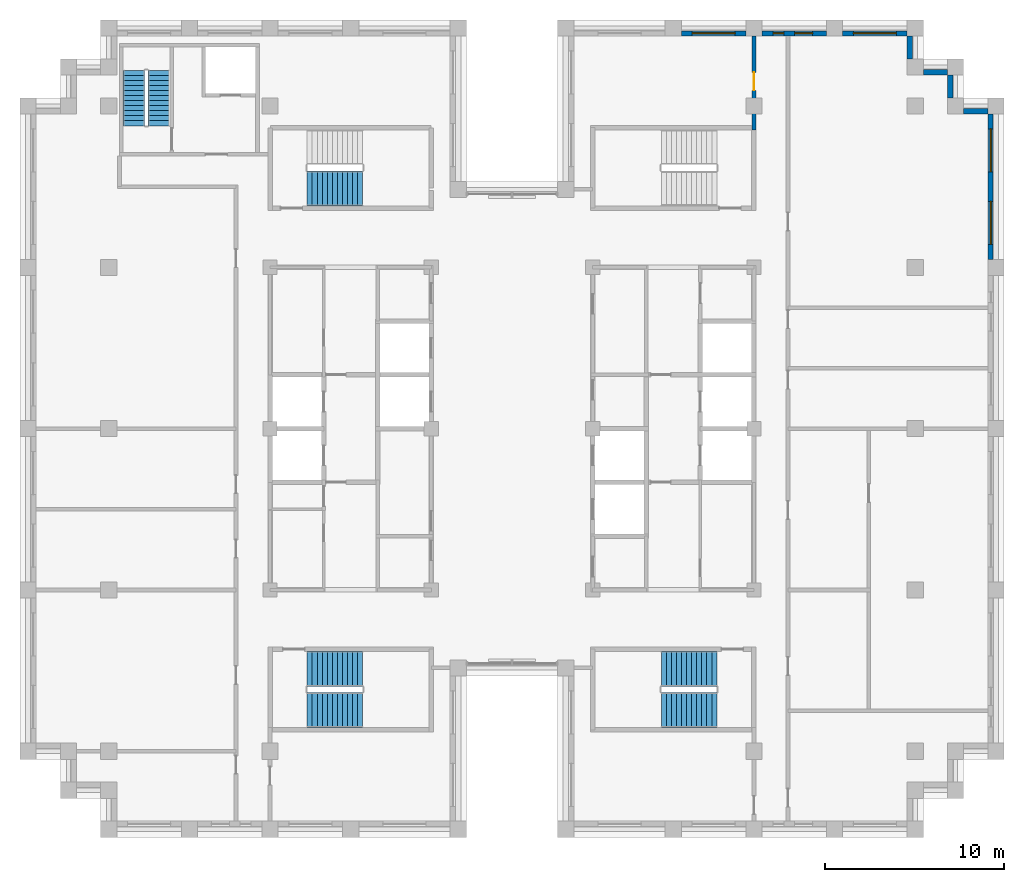
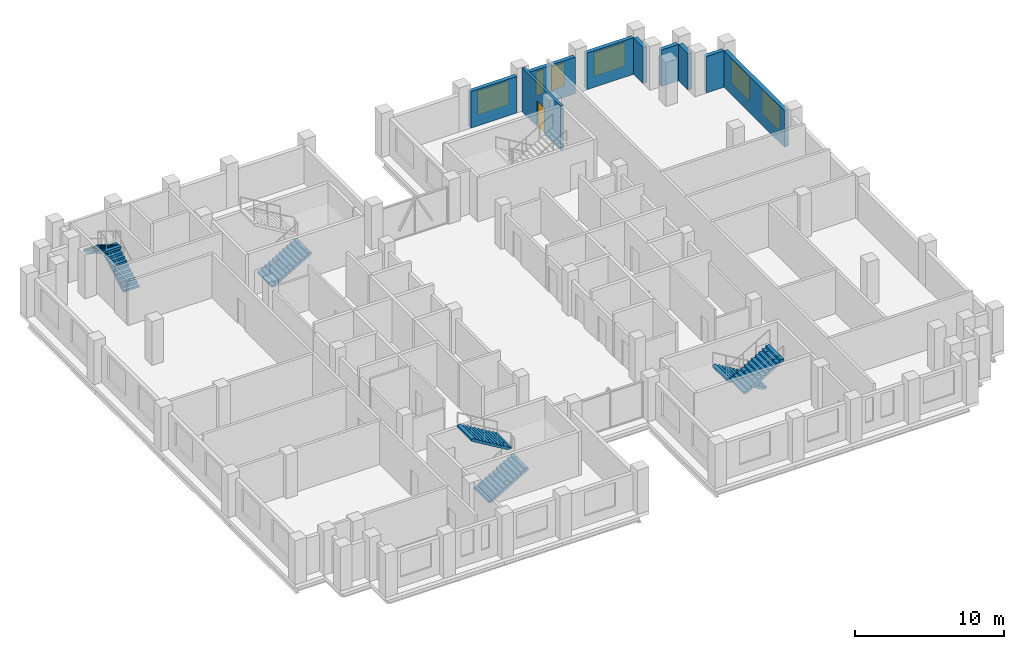
# One storey, part 11 of 13: 9 walls, 7 stair flights, 6 windows, 1 door, 7 openings, 4 elements without a shape of their own.
"""IFC4 building model written with IfcOpenShell, lengths in metres."""

from ifc_helpers import new_model, si_unit, direction, frame, frame_2d, origin, place, context, subcontext, project, spatial, polyline, rectangle, outline, extrude, material, layer, layer_set, type_object, element, fill, aggregate, save


model = new_model("IFC4")

# Units and contexts
model_context = context("Model", 3, precision=1e-05, world=origin(), true_north=direction((0.0, 1.0)))
body_context = subcontext(model_context, "Body", "Model", "MODEL_VIEW")
ifc_project = project(units=[si_unit("LENGTHUNIT", "METRE"), si_unit("AREAUNIT", "SQUARE_METRE"), si_unit("VOLUMEUNIT", "CUBIC_METRE"), si_unit("PLANEANGLEUNIT", "RADIAN"), si_unit("MASSUNIT", "GRAM", prefix="KILO")], contexts=[model_context])

# Site, building, storey
site_placement = place(None, origin())
site = spatial("IfcSite", under=ifc_project, at=site_placement, CompositionType="ELEMENT")
building_placement = place(site_placement, origin())
building = spatial("IfcBuilding", under=site, at=building_placement, Name="Corbelhall Arena Tower", CompositionType="ELEMENT")
storey_placement = place(building_placement, frame((0.0, 0.0, 290.0)))
storey = spatial("IfcBuildingStorey", under=building, at=storey_placement, Name="L63", CompositionType="ELEMENT", Elevation=290.0)

# Wall, openings, windows
ifc_material_1 = material(Name="Precast concrete C40/50 with granite facing", Category="masonry")
ifc_layer_1 = layer(ifc_material_1, 0.300048828125)
ifc_layer_set_1 = layer_set([ifc_layer_1], Name="EV-IW1 Infill panel 300")
wall_type_1 = type_object("IfcWallType", Name="EV-IW1 Infill panel 300", PredefinedType="SOLIDWALL", material=ifc_layer_set_1)
wall_1_placement = place(storey_placement, frame((26.699951171875, 9.449951171875, 0.0), z_axis=(0.0, 0.0, 1.0), x_axis=(0.0, 1.0, 0.0)))
wall_1 = element("IfcWall", 1, at=wall_1_placement, inside=storey, type_object=wall_type_1, Name="Infill panel IW1", PredefinedType="SOLIDWALL", context=body_context, shape_type="SweptSolid", body=[
    extrude(rectangle(XDim=8.10009765625, YDim=0.300048828125, at=frame_2d((4.050048828125, 0.0))), origin(), (0.0, 0.0, 1.0), 2.989990234375),
])
opening_1_placement = place(wall_1_placement, frame((0.824951171875, 0.0, 0.800048828125)))
opening_1 = element("IfcOpeningElement", 2, at=opening_1_placement, cuts=wall_1, Name="Opening WN1", PredefinedType="OPENING", context=body_context, shape_type="SweptSolid", body=[
    extrude(rectangle(XDim=2.39990234375, YDim=1.949951171875, at=frame_2d((1.199951171875, 0.97509765625))), frame((0.0, 0.14990234375, 0.0), z_axis=(0.0, -1.0, 0.0), x_axis=(1.0, 0.0, 0.0)), (0.0, 0.0, 1.0), 0.300048828125),
])
opening_2_placement = place(wall_1_placement, frame((4.875, 0.0, 0.800048828125)))
opening_2 = element("IfcOpeningElement", 3, at=opening_2_placement, cuts=wall_1, Name="Opening WN1", PredefinedType="OPENING", context=body_context, shape_type="SweptSolid", body=[
    extrude(rectangle(XDim=2.39990234375, YDim=1.949951171875, at=frame_2d((1.199951171875, 0.97509765625))), frame((0.0, 0.14990234375, 0.0), z_axis=(0.0, -1.0, 0.0), x_axis=(1.0, 0.0, 0.0)), (0.0, 0.0, 1.0), 0.300048828125),
])
ifc_material_2 = material(Name="Aluminium black anodised", Category="aluminium")
window_type_1 = type_object("IfcWindowType", Name="EV-WN1 Office window", PartitioningType="SINGLE_PANEL", PredefinedType="WINDOW", material=ifc_material_2)
window_1_placement = place(opening_1_placement, origin())
window_1 = element("IfcWindow", 4, at=window_1_placement, inside=storey, type_object=window_type_1, Name="Window WN1", OverallHeight=1.949951171875, OverallWidth=2.39990234375, PartitioningType="SINGLE_PANEL", PredefinedType="WINDOW", context=body_context, shape_type="SweptSolid", body=[
    extrude(rectangle(XDim=2.39990234375, YDim=1.949951171875, at=frame_2d((1.199951171875, 0.97509765625))), frame((0.0, 0.030029296875, 0.0), z_axis=(0.0, -1.0, 0.0), x_axis=(1.0, 0.0, 0.0)), (0.0, 0.0, 1.0), 0.06005859375),
])
fill(opening_1, window_1)
window_2_placement = place(opening_2_placement, origin())
window_2 = element("IfcWindow", 5, at=window_2_placement, inside=storey, type_object=window_type_1, Name="Window WN1", OverallHeight=1.949951171875, OverallWidth=2.39990234375, PartitioningType="SINGLE_PANEL", PredefinedType="WINDOW", context=body_context, shape_type="SweptSolid", body=[
    extrude(rectangle(XDim=2.39990234375, YDim=1.949951171875, at=frame_2d((1.199951171875, 0.97509765625))), frame((0.0, 0.030029296875, 0.0), z_axis=(0.0, -1.0, 0.0), x_axis=(1.0, 0.0, 0.0)), (0.0, 0.0, 1.0), 0.06005859375),
])
fill(opening_2, window_2)

# Walls
wall_2_placement = place(storey_placement, frame((26.550048828125, 17.699951171875, 0.0), z_axis=(0.0, 0.0, 1.0), x_axis=(-1.0, 0.0, 0.0)))
element("IfcWall", 6, at=wall_2_placement, inside=storey, type_object=wall_type_1, Name="Infill panel IW1", PredefinedType="SOLIDWALL", context=body_context, shape_type="SweptSolid", body=[
    extrude(rectangle(XDim=1.35009765625, YDim=0.300048828125, at=frame_2d((0.675048828125, 0.0))), origin(), (0.0, 0.0, 1.0), 2.989990234375),
])
wall_3_placement = place(storey_placement, frame((24.449951171875, 18.449951171875, 0.0), z_axis=(0.0, 0.0, 1.0), x_axis=(0.0, 1.0, 0.0)))
element("IfcWall", 7, at=wall_3_placement, inside=storey, type_object=wall_type_1, Name="Infill panel IW1", PredefinedType="SOLIDWALL", context=body_context, shape_type="SweptSolid", body=[
    extrude(rectangle(XDim=1.275146484375, YDim=0.300048828125, at=frame_2d((0.6376953125, 0.0))), origin(), (0.0, 0.0, 1.0), 2.989990234375),
])
wall_4_placement = place(storey_placement, frame((24.300048828125, 19.875, 0.0), z_axis=(0.0, 0.0, 1.0), x_axis=(-1.0, 0.0, 0.0)))
element("IfcWall", 8, at=wall_4_placement, inside=storey, type_object=wall_type_1, Name="Infill panel IW1", PredefinedType="SOLIDWALL", context=body_context, shape_type="SweptSolid", body=[
    extrude(rectangle(XDim=1.35009765625, YDim=0.300048828125, at=frame_2d((0.675048828125, 0.0))), origin(), (0.0, 0.0, 1.0), 2.989990234375),
])
wall_5_placement = place(storey_placement, frame((22.199951171875, 20.625, 0.0), z_axis=(0.0, 0.0, 1.0), x_axis=(0.0, 1.0, 0.0)))
element("IfcWall", 9, at=wall_5_placement, inside=storey, type_object=wall_type_1, Name="Infill panel IW1", PredefinedType="SOLIDWALL", context=body_context, shape_type="SweptSolid", body=[
    extrude(rectangle(XDim=1.27490234375, YDim=0.300048828125, at=frame_2d((0.637451171875, 0.0))), origin(), (0.0, 0.0, 1.0), 2.989990234375),
])

# Wall, opening, window
wall_6_placement = place(storey_placement, frame((22.050048828125, 22.050048828125, 0.0), z_axis=(0.0, 0.0, 1.0), x_axis=(-1.0, 0.0, 0.0)))
wall_6 = element("IfcWall", 10, at=wall_6_placement, inside=storey, type_object=wall_type_1, Name="Infill panel IW1", PredefinedType="SOLIDWALL", context=body_context, shape_type="SweptSolid", body=[
    extrude(rectangle(XDim=3.60009765625, YDim=0.300048828125, at=frame_2d((1.800048828125, 0.0))), origin(), (0.0, 0.0, 1.0), 2.989990234375),
])
opening_3_placement = place(wall_6_placement, frame((0.60009765625, 0.0, 0.800048828125)))
opening_3 = element("IfcOpeningElement", 11, at=opening_3_placement, cuts=wall_6, Name="Opening WN1", PredefinedType="OPENING", context=body_context, shape_type="SweptSolid", body=[
    extrude(rectangle(XDim=2.39990234375, YDim=1.949951171875, at=frame_2d((1.199951171875, 0.97509765625))), frame((0.0, 0.14990234375, 0.0), z_axis=(0.0, -1.0, 0.0), x_axis=(1.0, 0.0, 0.0)), (0.0, 0.0, 1.0), 0.300048828125),
])
window_3_placement = place(opening_3_placement, origin())
window_3 = element("IfcWindow", 12, at=window_3_placement, inside=storey, type_object=window_type_1, Name="Window WN1", OverallHeight=1.949951171875, OverallWidth=2.39990234375, PartitioningType="SINGLE_PANEL", PredefinedType="WINDOW", context=body_context, shape_type="SweptSolid", body=[
    extrude(rectangle(XDim=2.39990234375, YDim=1.949951171875, at=frame_2d((1.199951171875, 0.97509765625))), frame((0.0, 0.030029296875, 0.0), z_axis=(0.0, -1.0, 0.0), x_axis=(1.0, 0.0, 0.0)), (0.0, 0.0, 1.0), 0.06005859375),
])
fill(opening_3, window_3)

# Wall, openings, windows
wall_7_placement = place(storey_placement, frame((17.550048828125, 22.050048828125, 0.0), z_axis=(0.0, 0.0, 1.0), x_axis=(-1.0, 0.0, 0.0)))
wall_7 = element("IfcWall", 13, at=wall_7_placement, inside=storey, type_object=wall_type_1, Name="Infill panel IW1", PredefinedType="SOLIDWALL", context=body_context, shape_type="SweptSolid", body=[
    extrude(rectangle(XDim=3.60009765625, YDim=0.300048828125, at=frame_2d((1.800048828125, 0.0))), origin(), (0.0, 0.0, 1.0), 2.989990234375),
])
opening_4_placement = place(wall_7_placement, frame((0.77490234375, 0.0, 0.800048828125)))
opening_4 = element("IfcOpeningElement", 14, at=opening_4_placement, cuts=wall_7, Name="Opening WN6", PredefinedType="OPENING", context=body_context, shape_type="SweptSolid", body=[
    extrude(rectangle(XDim=1.0, YDim=1.949951171875, at=frame_2d((0.5, 0.97509765625))), frame((0.0, 0.14990234375, 0.0), z_axis=(0.0, -1.0, 0.0), x_axis=(1.0, 0.0, 0.0)), (0.0, 0.0, 1.0), 0.300048828125),
])
opening_5_placement = place(wall_7_placement, frame((2.375, 0.0, 0.800048828125)))
opening_5 = element("IfcOpeningElement", 15, at=opening_5_placement, cuts=wall_7, Name="Opening WN5", PredefinedType="OPENING", context=body_context, shape_type="SweptSolid", body=[
    extrude(rectangle(XDim=0.60009765625, YDim=1.949951171875, at=frame_2d((0.300048828125, 0.97509765625))), frame((0.0, 0.14990234375, 0.0), z_axis=(0.0, -1.0, 0.0), x_axis=(1.0, 0.0, 0.0)), (0.0, 0.0, 1.0), 0.300048828125),
])
window_type_2 = type_object("IfcWindowType", Name="EV-WN5 Office window 600", PartitioningType="SINGLE_PANEL", PredefinedType="WINDOW", material=ifc_material_2)
window_4_placement = place(opening_5_placement, origin())
window_4 = element("IfcWindow", 16, at=window_4_placement, inside=storey, type_object=window_type_2, Name="Window WN5", OverallHeight=1.949951171875, OverallWidth=0.60009765625, PartitioningType="SINGLE_PANEL", PredefinedType="WINDOW", context=body_context, shape_type="SweptSolid", body=[
    extrude(rectangle(XDim=0.60009765625, YDim=1.949951171875, at=frame_2d((0.300048828125, 0.97509765625))), frame((0.0, 0.030029296875, 0.0), z_axis=(0.0, -1.0, 0.0), x_axis=(1.0, 0.0, 0.0)), (0.0, 0.0, 1.0), 0.06005859375),
])
fill(opening_5, window_4)
window_type_3 = type_object("IfcWindowType", Name="EV-WN6 Office window 1000", PartitioningType="SINGLE_PANEL", PredefinedType="WINDOW", material=ifc_material_2)
window_5_placement = place(opening_4_placement, origin())
window_5 = element("IfcWindow", 17, at=window_5_placement, inside=storey, type_object=window_type_3, Name="Window WN6", OverallHeight=1.949951171875, OverallWidth=1.0, PartitioningType="SINGLE_PANEL", PredefinedType="WINDOW", context=body_context, shape_type="SweptSolid", body=[
    extrude(rectangle(XDim=1.0, YDim=1.949951171875, at=frame_2d((0.5, 0.97509765625))), frame((0.0, 0.030029296875, 0.0), z_axis=(0.0, -1.0, 0.0), x_axis=(1.0, 0.0, 0.0)), (0.0, 0.0, 1.0), 0.06005859375),
])
fill(opening_4, window_5)

# Wall, opening, window
wall_8_placement = place(storey_placement, frame((13.050048828125, 22.050048828125, 0.0), z_axis=(0.0, 0.0, 1.0), x_axis=(-1.0, 0.0, 0.0)))
wall_8 = element("IfcWall", 18, at=wall_8_placement, inside=storey, type_object=wall_type_1, Name="Infill panel IW1", PredefinedType="SOLIDWALL", context=body_context, shape_type="SweptSolid", body=[
    extrude(rectangle(XDim=3.60009765625, YDim=0.300048828125, at=frame_2d((1.800048828125, 0.0))), origin(), (0.0, 0.0, 1.0), 2.989990234375),
])
opening_6_placement = place(wall_8_placement, frame((0.60009765625, 0.0, 0.800048828125)))
opening_6 = element("IfcOpeningElement", 19, at=opening_6_placement, cuts=wall_8, Name="Opening WN1", PredefinedType="OPENING", context=body_context, shape_type="SweptSolid", body=[
    extrude(rectangle(XDim=2.39990234375, YDim=1.949951171875, at=frame_2d((1.199951171875, 0.97509765625))), frame((0.0, 0.14990234375, 0.0), z_axis=(0.0, -1.0, 0.0), x_axis=(1.0, 0.0, 0.0)), (0.0, 0.0, 1.0), 0.300048828125),
])
window_6_placement = place(opening_6_placement, origin())
window_6 = element("IfcWindow", 20, at=window_6_placement, inside=storey, type_object=window_type_1, Name="Window WN1", OverallHeight=1.949951171875, OverallWidth=2.39990234375, PartitioningType="SINGLE_PANEL", PredefinedType="WINDOW", context=body_context, shape_type="SweptSolid", body=[
    extrude(rectangle(XDim=2.39990234375, YDim=1.949951171875, at=frame_2d((1.199951171875, 0.97509765625))), frame((0.0, 0.030029296875, 0.0), z_axis=(0.0, -1.0, 0.0), x_axis=(1.0, 0.0, 0.0)), (0.0, 0.0, 1.0), 0.06005859375),
])
fill(opening_6, window_6)

# Wall, opening, door
ifc_material_3 = material(Name="Gypsum board on steel stud, acoustic", Category="steel")
ifc_layer_2 = layer(ifc_material_3, 0.199951171875)
ifc_layer_set_2 = layer_set([ifc_layer_2], Name="IN-W-DM200")
wall_type_2 = type_object("IfcWallType", Name="IN-W-DM200", PredefinedType="PARTITIONING", material=ifc_layer_set_2)
wall_9_placement = place(storey_placement, frame((13.5, 16.675048828125, 0.0), z_axis=(0.0, 0.0, 1.0), x_axis=(0.0, 1.0, 0.0)))
wall_9 = element("IfcWall", 21, at=wall_9_placement, inside=storey, type_object=wall_type_2, Name="Partition 013", PredefinedType="PARTITIONING", context=body_context, shape_type="SweptSolid", body=[
    extrude(rectangle(XDim=5.224853515625, YDim=0.199951171875, at=frame_2d((2.6123046875, 0.0))), origin(), (0.0, 0.0, 1.0), 3.590087890625),
])
opening_7_placement = place(wall_9_placement, frame((2.199951171875, 0.0, 0.0)))
opening_7 = element("IfcOpeningElement", 22, at=opening_7_placement, cuts=wall_9, Name="Opening 20020", PredefinedType="OPENING", context=body_context, shape_type="SweptSolid", body=[
    extrude(rectangle(XDim=1.0, YDim=2.10009765625, at=frame_2d((0.5, 1.050048828125))), frame((0.0, 0.10009765625, 0.0), z_axis=(0.0, -1.0, 0.0), x_axis=(1.0, 0.0, 0.0)), (0.0, 0.0, 1.0), 0.199951171875),
])
ifc_material_4 = material(Name="Steel door set", Category="steel")
door_type = type_object("IfcDoorType", Name="IN-D-SW100", OperationType="NOTDEFINED", PredefinedType="DOOR", material=ifc_material_4)
door_placement = place(opening_7_placement, origin())
door = element("IfcDoor", 23, at=door_placement, inside=storey, type_object=door_type, Name="Door 020", OperationType="SINGLE_SWING_LEFT", OverallHeight=2.10009765625, OverallWidth=1.0, PredefinedType="DOOR", context=body_context, shape_type="SweptSolid", body=[
    extrude(rectangle(XDim=1.0, YDim=2.10009765625, at=frame_2d((0.5, 1.050048828125))), frame((0.0, 0.02490234375, 0.0), z_axis=(0.0, -1.0, 0.0), x_axis=(1.0, 0.0, 0.0)), (0.0, 0.0, 1.0), 0.050048828125),
])
fill(opening_7, door)

# Stair, stair flight
ifc_material_5 = material(Name="Concrete C40/50", Category="concrete")
stair_type = type_object("IfcStairType", Name="IN-ST-TOWER", PredefinedType="HALF_TURN_STAIR", material=ifc_material_5)
stair_1_placement = place(storey_placement, origin())
stair_1 = element("IfcStair", 24, at=stair_1_placement, inside=storey, type_object=stair_type, Name="L63 Exit stair ST1", PredefinedType="HALF_TURN_STAIR")
stair_flight_type = type_object("IfcStairFlightType", Name="IN-SFL-RC", PredefinedType="STRAIGHT", material=ifc_material_5)
stair_flight_1_placement = place(storey_placement, frame((-11.425048828125, 13.39990234375, 0.0), z_axis=(0.0, 0.0, 1.0), x_axis=(1.0, 0.0, 0.0)))
stair_flight_1 = element("IfcStairFlight", 25, at=stair_flight_1_placement, type_object=stair_flight_type, Name="ST1 flight 1", NumberOfRisers=12, NumberOfTreads=11, PredefinedType="STRAIGHT", RiserHeight=0.166666667, TreadLength=0.28, context=body_context, shape_type="SweptSolid", body=[
    extrude(outline(polyline([(0.0, 0.0), (0.0, 0.166748046875), (0.280029296875, 0.166748046875), (0.280029296875, 0.333251953125), (0.56005859375, 0.333251953125), (0.56005859375, 0.5), (0.840087890625, 0.5), (0.840087890625, 0.666748046875), (1.1201171875, 0.666748046875), (1.1201171875, 0.833251953125), (1.39990234375, 0.833251953125), (1.39990234375, 1.0), (1.679931640625, 1.0), (1.679931640625, 1.166748046875), (1.9599609375, 1.166748046875), (1.9599609375, 1.333251953125), (2.239990234375, 1.333251953125), (2.239990234375, 1.5), (2.52001953125, 1.5), (2.52001953125, 1.666748046875), (2.800048828125, 1.666748046875), (2.800048828125, 1.833251953125), (3.080078125, 1.833251953125), (3.080078125, 2.0), (3.080078125, 1.658935546875), (0.29296875, 0.0), (0.0, 0.0)])), frame((0.0, 0.97509765625, 0.0), z_axis=(0.0, -1.0, 0.0), x_axis=(1.0, 0.0, 0.0)), (0.0, 0.0, 1.0), 0.449951171875),
    extrude(outline(polyline([(0.0, 0.0), (0.0, 0.166748046875), (0.280029296875, 0.166748046875), (0.280029296875, 0.333251953125), (0.56005859375, 0.333251953125), (0.56005859375, 0.5), (0.840087890625, 0.5), (0.840087890625, 0.666748046875), (1.1201171875, 0.666748046875), (1.1201171875, 0.833251953125), (1.39990234375, 0.833251953125), (1.39990234375, 1.0), (1.679931640625, 1.0), (1.679931640625, 1.166748046875), (1.9599609375, 1.166748046875), (1.9599609375, 1.333251953125), (2.239990234375, 1.333251953125), (2.239990234375, 1.5), (2.52001953125, 1.5), (2.52001953125, 1.666748046875), (2.800048828125, 1.666748046875), (2.800048828125, 1.833251953125), (3.080078125, 1.833251953125), (3.080078125, 2.0), (3.080078125, 1.658935546875), (0.29296875, 0.0), (0.0, 0.0)])), frame((0.0, 0.52099609375, 0.0), z_axis=(0.0, -1.0, 0.0), x_axis=(1.0, 0.0, 0.0)), (0.0, 0.0, 1.0), 1.0419921875),
    extrude(outline(polyline([(0.0, 0.0), (0.0, 0.166748046875), (0.280029296875, 0.166748046875), (0.280029296875, 0.333251953125), (0.56005859375, 0.333251953125), (0.56005859375, 0.5), (0.840087890625, 0.5), (0.840087890625, 0.666748046875), (1.1201171875, 0.666748046875), (1.1201171875, 0.833251953125), (1.39990234375, 0.833251953125), (1.39990234375, 1.0), (1.679931640625, 1.0), (1.679931640625, 1.166748046875), (1.9599609375, 1.166748046875), (1.9599609375, 1.333251953125), (2.239990234375, 1.333251953125), (2.239990234375, 1.5), (2.52001953125, 1.5), (2.52001953125, 1.666748046875), (2.800048828125, 1.666748046875), (2.800048828125, 1.833251953125), (3.080078125, 1.833251953125), (3.080078125, 2.0), (3.080078125, 1.658935546875), (0.29296875, 0.0), (0.0, 0.0)])), frame((0.0, -0.52490234375, 0.0), z_axis=(0.0, -1.0, 0.0), x_axis=(1.0, 0.0, 0.0)), (0.0, 0.0, 1.0), 0.449951171875),
])
aggregate(stair_1, [stair_flight_1])

# Stair, stair flights
stair_2_placement = place(storey_placement, origin())
stair_2 = element("IfcStair", 26, at=stair_2_placement, inside=storey, type_object=stair_type, Name="L63 Exit stair ST2", PredefinedType="HALF_TURN_STAIR")
stair_flight_2_placement = place(storey_placement, frame((-11.425048828125, -15.699951171875, 0.0), z_axis=(0.0, 0.0, 1.0), x_axis=(1.0, 0.0, 0.0)))
stair_flight_2 = element("IfcStairFlight", 27, at=stair_flight_2_placement, type_object=stair_flight_type, Name="ST2 flight 1", NumberOfRisers=12, NumberOfTreads=11, PredefinedType="STRAIGHT", RiserHeight=0.166666667, TreadLength=0.28, context=body_context, shape_type="SweptSolid", body=[
    extrude(outline(polyline([(0.0, 0.0), (0.0, 0.166748046875), (0.280029296875, 0.166748046875), (0.280029296875, 0.333251953125), (0.56005859375, 0.333251953125), (0.56005859375, 0.5), (0.840087890625, 0.5), (0.840087890625, 0.666748046875), (1.1201171875, 0.666748046875), (1.1201171875, 0.833251953125), (1.39990234375, 0.833251953125), (1.39990234375, 1.0), (1.679931640625, 1.0), (1.679931640625, 1.166748046875), (1.9599609375, 1.166748046875), (1.9599609375, 1.333251953125), (2.239990234375, 1.333251953125), (2.239990234375, 1.5), (2.52001953125, 1.5), (2.52001953125, 1.666748046875), (2.800048828125, 1.666748046875), (2.800048828125, 1.833251953125), (3.080078125, 1.833251953125), (3.080078125, 2.0), (3.080078125, 1.658935546875), (0.29296875, 0.0), (0.0, 0.0)])), frame((0.0, 0.97509765625, 0.0), z_axis=(0.0, -1.0, 0.0), x_axis=(1.0, 0.0, 0.0)), (0.0, 0.0, 1.0), 0.449951171875),
    extrude(outline(polyline([(0.0, 0.0), (0.0, 0.166748046875), (0.280029296875, 0.166748046875), (0.280029296875, 0.333251953125), (0.56005859375, 0.333251953125), (0.56005859375, 0.5), (0.840087890625, 0.5), (0.840087890625, 0.666748046875), (1.1201171875, 0.666748046875), (1.1201171875, 0.833251953125), (1.39990234375, 0.833251953125), (1.39990234375, 1.0), (1.679931640625, 1.0), (1.679931640625, 1.166748046875), (1.9599609375, 1.166748046875), (1.9599609375, 1.333251953125), (2.239990234375, 1.333251953125), (2.239990234375, 1.5), (2.52001953125, 1.5), (2.52001953125, 1.666748046875), (2.800048828125, 1.666748046875), (2.800048828125, 1.833251953125), (3.080078125, 1.833251953125), (3.080078125, 2.0), (3.080078125, 1.658935546875), (0.29296875, 0.0), (0.0, 0.0)])), frame((0.0, 0.52099609375, 0.0), z_axis=(0.0, -1.0, 0.0), x_axis=(1.0, 0.0, 0.0)), (0.0, 0.0, 1.0), 1.0419921875),
    extrude(outline(polyline([(0.0, 0.0), (0.0, 0.166748046875), (0.280029296875, 0.166748046875), (0.280029296875, 0.333251953125), (0.56005859375, 0.333251953125), (0.56005859375, 0.5), (0.840087890625, 0.5), (0.840087890625, 0.666748046875), (1.1201171875, 0.666748046875), (1.1201171875, 0.833251953125), (1.39990234375, 0.833251953125), (1.39990234375, 1.0), (1.679931640625, 1.0), (1.679931640625, 1.166748046875), (1.9599609375, 1.166748046875), (1.9599609375, 1.333251953125), (2.239990234375, 1.333251953125), (2.239990234375, 1.5), (2.52001953125, 1.5), (2.52001953125, 1.666748046875), (2.800048828125, 1.666748046875), (2.800048828125, 1.833251953125), (3.080078125, 1.833251953125), (3.080078125, 2.0), (3.080078125, 1.658935546875), (0.29296875, 0.0), (0.0, 0.0)])), frame((0.0, -0.52490234375, 0.0), z_axis=(0.0, -1.0, 0.0), x_axis=(1.0, 0.0, 0.0)), (0.0, 0.0, 1.0), 0.449951171875),
])
stair_flight_3_placement = place(storey_placement, frame((-8.344970703125, -13.39990234375, 2.0), z_axis=(0.0, 0.0, 1.0), x_axis=(-1.0, 0.0, 0.0)))
stair_flight_3 = element("IfcStairFlight", 28, at=stair_flight_3_placement, type_object=stair_flight_type, Name="ST2 flight 2", NumberOfRisers=12, NumberOfTreads=11, PredefinedType="STRAIGHT", RiserHeight=0.166666667, TreadLength=0.28, context=body_context, shape_type="SweptSolid", body=[
    extrude(outline(polyline([(0.0, 0.0), (0.0, 0.166748046875), (0.280029296875, 0.166748046875), (0.280029296875, 0.333251953125), (0.56005859375, 0.333251953125), (0.56005859375, 0.5), (0.840087890625, 0.5), (0.840087890625, 0.666748046875), (1.1201171875, 0.666748046875), (1.1201171875, 0.833251953125), (1.39990234375, 0.833251953125), (1.39990234375, 1.0), (1.679931640625, 1.0), (1.679931640625, 1.166748046875), (1.9599609375, 1.166748046875), (1.9599609375, 1.333251953125), (2.239990234375, 1.333251953125), (2.239990234375, 1.5), (2.52001953125, 1.5), (2.52001953125, 1.666748046875), (2.800048828125, 1.666748046875), (2.800048828125, 1.833251953125), (3.080078125, 1.833251953125), (3.080078125, 2.0), (3.080078125, 1.658935546875), (0.29296875, 0.0), (0.0, 0.0)])), frame((0.0, 0.97509765625, 0.0), z_axis=(0.0, -1.0, 0.0), x_axis=(1.0, 0.0, 0.0)), (0.0, 0.0, 1.0), 0.449951171875),
    extrude(outline(polyline([(0.0, 0.0), (0.0, 0.166748046875), (0.280029296875, 0.166748046875), (0.280029296875, 0.333251953125), (0.56005859375, 0.333251953125), (0.56005859375, 0.5), (0.840087890625, 0.5), (0.840087890625, 0.666748046875), (1.1201171875, 0.666748046875), (1.1201171875, 0.833251953125), (1.39990234375, 0.833251953125), (1.39990234375, 1.0), (1.679931640625, 1.0), (1.679931640625, 1.166748046875), (1.9599609375, 1.166748046875), (1.9599609375, 1.333251953125), (2.239990234375, 1.333251953125), (2.239990234375, 1.5), (2.52001953125, 1.5), (2.52001953125, 1.666748046875), (2.800048828125, 1.666748046875), (2.800048828125, 1.833251953125), (3.080078125, 1.833251953125), (3.080078125, 2.0), (3.080078125, 1.658935546875), (0.29296875, 0.0), (0.0, 0.0)])), frame((0.0, 0.52099609375, 0.0), z_axis=(0.0, -1.0, 0.0), x_axis=(1.0, 0.0, 0.0)), (0.0, 0.0, 1.0), 1.0419921875),
    extrude(outline(polyline([(0.0, 0.0), (0.0, 0.166748046875), (0.280029296875, 0.166748046875), (0.280029296875, 0.333251953125), (0.56005859375, 0.333251953125), (0.56005859375, 0.5), (0.840087890625, 0.5), (0.840087890625, 0.666748046875), (1.1201171875, 0.666748046875), (1.1201171875, 0.833251953125), (1.39990234375, 0.833251953125), (1.39990234375, 1.0), (1.679931640625, 1.0), (1.679931640625, 1.166748046875), (1.9599609375, 1.166748046875), (1.9599609375, 1.333251953125), (2.239990234375, 1.333251953125), (2.239990234375, 1.5), (2.52001953125, 1.5), (2.52001953125, 1.666748046875), (2.800048828125, 1.666748046875), (2.800048828125, 1.833251953125), (3.080078125, 1.833251953125), (3.080078125, 2.0), (3.080078125, 1.658935546875), (0.29296875, 0.0), (0.0, 0.0)])), frame((0.0, -0.52490234375, 0.0), z_axis=(0.0, -1.0, 0.0), x_axis=(1.0, 0.0, 0.0)), (0.0, 0.0, 1.0), 0.449951171875),
])
aggregate(stair_2, [stair_flight_2, stair_flight_3])

stair_3_placement = place(storey_placement, origin())
stair_3 = element("IfcStair", 29, at=stair_3_placement, inside=storey, type_object=stair_type, Name="L63 Exit stair ST4", PredefinedType="HALF_TURN_STAIR")
stair_flight_4_placement = place(storey_placement, frame((11.425048828125, -13.39990234375, 0.0), z_axis=(0.0, 0.0, 1.0), x_axis=(-1.0, 0.0, 0.0)))
stair_flight_4 = element("IfcStairFlight", 30, at=stair_flight_4_placement, type_object=stair_flight_type, Name="ST4 flight 1", NumberOfRisers=12, NumberOfTreads=11, PredefinedType="STRAIGHT", RiserHeight=0.166666667, TreadLength=0.28, context=body_context, shape_type="SweptSolid", body=[
    extrude(outline(polyline([(0.0, 0.0), (0.0, 0.166748046875), (0.280029296875, 0.166748046875), (0.280029296875, 0.333251953125), (0.56005859375, 0.333251953125), (0.56005859375, 0.5), (0.840087890625, 0.5), (0.840087890625, 0.666748046875), (1.1201171875, 0.666748046875), (1.1201171875, 0.833251953125), (1.39990234375, 0.833251953125), (1.39990234375, 1.0), (1.679931640625, 1.0), (1.679931640625, 1.166748046875), (1.9599609375, 1.166748046875), (1.9599609375, 1.333251953125), (2.239990234375, 1.333251953125), (2.239990234375, 1.5), (2.52001953125, 1.5), (2.52001953125, 1.666748046875), (2.800048828125, 1.666748046875), (2.800048828125, 1.833251953125), (3.080078125, 1.833251953125), (3.080078125, 2.0), (3.080078125, 1.658935546875), (0.29296875, 0.0), (0.0, 0.0)])), frame((0.0, 0.97509765625, 0.0), z_axis=(0.0, -1.0, 0.0), x_axis=(1.0, 0.0, 0.0)), (0.0, 0.0, 1.0), 0.449951171875),
    extrude(outline(polyline([(0.0, 0.0), (0.0, 0.166748046875), (0.280029296875, 0.166748046875), (0.280029296875, 0.333251953125), (0.56005859375, 0.333251953125), (0.56005859375, 0.5), (0.840087890625, 0.5), (0.840087890625, 0.666748046875), (1.1201171875, 0.666748046875), (1.1201171875, 0.833251953125), (1.39990234375, 0.833251953125), (1.39990234375, 1.0), (1.679931640625, 1.0), (1.679931640625, 1.166748046875), (1.9599609375, 1.166748046875), (1.9599609375, 1.333251953125), (2.239990234375, 1.333251953125), (2.239990234375, 1.5), (2.52001953125, 1.5), (2.52001953125, 1.666748046875), (2.800048828125, 1.666748046875), (2.800048828125, 1.833251953125), (3.080078125, 1.833251953125), (3.080078125, 2.0), (3.080078125, 1.658935546875), (0.29296875, 0.0), (0.0, 0.0)])), frame((0.0, 0.52099609375, 0.0), z_axis=(0.0, -1.0, 0.0), x_axis=(1.0, 0.0, 0.0)), (0.0, 0.0, 1.0), 1.0419921875),
    extrude(outline(polyline([(0.0, 0.0), (0.0, 0.166748046875), (0.280029296875, 0.166748046875), (0.280029296875, 0.333251953125), (0.56005859375, 0.333251953125), (0.56005859375, 0.5), (0.840087890625, 0.5), (0.840087890625, 0.666748046875), (1.1201171875, 0.666748046875), (1.1201171875, 0.833251953125), (1.39990234375, 0.833251953125), (1.39990234375, 1.0), (1.679931640625, 1.0), (1.679931640625, 1.166748046875), (1.9599609375, 1.166748046875), (1.9599609375, 1.333251953125), (2.239990234375, 1.333251953125), (2.239990234375, 1.5), (2.52001953125, 1.5), (2.52001953125, 1.666748046875), (2.800048828125, 1.666748046875), (2.800048828125, 1.833251953125), (3.080078125, 1.833251953125), (3.080078125, 2.0), (3.080078125, 1.658935546875), (0.29296875, 0.0), (0.0, 0.0)])), frame((0.0, -0.52490234375, 0.0), z_axis=(0.0, -1.0, 0.0), x_axis=(1.0, 0.0, 0.0)), (0.0, 0.0, 1.0), 0.449951171875),
])
stair_flight_5_placement = place(storey_placement, frame((8.344970703125, -15.699951171875, 2.0), z_axis=(0.0, 0.0, 1.0), x_axis=(1.0, 0.0, 0.0)))
stair_flight_5 = element("IfcStairFlight", 31, at=stair_flight_5_placement, type_object=stair_flight_type, Name="ST4 flight 2", NumberOfRisers=12, NumberOfTreads=11, PredefinedType="STRAIGHT", RiserHeight=0.166666667, TreadLength=0.28, context=body_context, shape_type="SweptSolid", body=[
    extrude(outline(polyline([(0.0, 0.0), (0.0, 0.166748046875), (0.280029296875, 0.166748046875), (0.280029296875, 0.333251953125), (0.56005859375, 0.333251953125), (0.56005859375, 0.5), (0.840087890625, 0.5), (0.840087890625, 0.666748046875), (1.1201171875, 0.666748046875), (1.1201171875, 0.833251953125), (1.39990234375, 0.833251953125), (1.39990234375, 1.0), (1.679931640625, 1.0), (1.679931640625, 1.166748046875), (1.9599609375, 1.166748046875), (1.9599609375, 1.333251953125), (2.239990234375, 1.333251953125), (2.239990234375, 1.5), (2.52001953125, 1.5), (2.52001953125, 1.666748046875), (2.800048828125, 1.666748046875), (2.800048828125, 1.833251953125), (3.080078125, 1.833251953125), (3.080078125, 2.0), (3.080078125, 1.658935546875), (0.29296875, 0.0), (0.0, 0.0)])), frame((0.0, 0.97509765625, 0.0), z_axis=(0.0, -1.0, 0.0), x_axis=(1.0, 0.0, 0.0)), (0.0, 0.0, 1.0), 0.449951171875),
    extrude(outline(polyline([(0.0, 0.0), (0.0, 0.166748046875), (0.280029296875, 0.166748046875), (0.280029296875, 0.333251953125), (0.56005859375, 0.333251953125), (0.56005859375, 0.5), (0.840087890625, 0.5), (0.840087890625, 0.666748046875), (1.1201171875, 0.666748046875), (1.1201171875, 0.833251953125), (1.39990234375, 0.833251953125), (1.39990234375, 1.0), (1.679931640625, 1.0), (1.679931640625, 1.166748046875), (1.9599609375, 1.166748046875), (1.9599609375, 1.333251953125), (2.239990234375, 1.333251953125), (2.239990234375, 1.5), (2.52001953125, 1.5), (2.52001953125, 1.666748046875), (2.800048828125, 1.666748046875), (2.800048828125, 1.833251953125), (3.080078125, 1.833251953125), (3.080078125, 2.0), (3.080078125, 1.658935546875), (0.29296875, 0.0), (0.0, 0.0)])), frame((0.0, 0.52099609375, 0.0), z_axis=(0.0, -1.0, 0.0), x_axis=(1.0, 0.0, 0.0)), (0.0, 0.0, 1.0), 1.0419921875),
    extrude(outline(polyline([(0.0, 0.0), (0.0, 0.166748046875), (0.280029296875, 0.166748046875), (0.280029296875, 0.333251953125), (0.56005859375, 0.333251953125), (0.56005859375, 0.5), (0.840087890625, 0.5), (0.840087890625, 0.666748046875), (1.1201171875, 0.666748046875), (1.1201171875, 0.833251953125), (1.39990234375, 0.833251953125), (1.39990234375, 1.0), (1.679931640625, 1.0), (1.679931640625, 1.166748046875), (1.9599609375, 1.166748046875), (1.9599609375, 1.333251953125), (2.239990234375, 1.333251953125), (2.239990234375, 1.5), (2.52001953125, 1.5), (2.52001953125, 1.666748046875), (2.800048828125, 1.666748046875), (2.800048828125, 1.833251953125), (3.080078125, 1.833251953125), (3.080078125, 2.0), (3.080078125, 1.658935546875), (0.29296875, 0.0), (0.0, 0.0)])), frame((0.0, -0.52490234375, 0.0), z_axis=(0.0, -1.0, 0.0), x_axis=(1.0, 0.0, 0.0)), (0.0, 0.0, 1.0), 0.449951171875),
])
aggregate(stair_3, [stair_flight_4, stair_flight_5])

stair_4_placement = place(storey_placement, origin())
stair_4 = element("IfcStair", 32, at=stair_4_placement, inside=storey, type_object=stair_type, Name="L63 Exit stair ST5", PredefinedType="HALF_TURN_STAIR")
stair_flight_6_placement = place(storey_placement, frame((-19.695068359375, 16.89990234375, 0.0), z_axis=(0.0, 0.0, 1.0), x_axis=(0.0, 1.0, 0.0)))
stair_flight_6 = element("IfcStairFlight", 33, at=stair_flight_6_placement, type_object=stair_flight_type, Name="ST5 flight 1", NumberOfRisers=12, NumberOfTreads=11, PredefinedType="STRAIGHT", RiserHeight=0.166666667, TreadLength=0.28, context=body_context, shape_type="SweptSolid", body=[
    extrude(outline(polyline([(0.0, 0.0), (0.0, 0.166748046875), (0.280029296875, 0.166748046875), (0.280029296875, 0.333251953125), (0.56005859375, 0.333251953125), (0.56005859375, 0.5), (0.840087890625, 0.5), (0.840087890625, 0.666748046875), (1.1201171875, 0.666748046875), (1.1201171875, 0.833251953125), (1.39990234375, 0.833251953125), (1.39990234375, 1.0), (1.679931640625, 1.0), (1.679931640625, 1.166748046875), (1.9599609375, 1.166748046875), (1.9599609375, 1.333251953125), (2.239990234375, 1.333251953125), (2.239990234375, 1.5), (2.52001953125, 1.5), (2.52001953125, 1.666748046875), (2.800048828125, 1.666748046875), (2.800048828125, 1.833251953125), (3.080078125, 1.833251953125), (3.080078125, 2.0), (3.080078125, 1.658935546875), (0.29296875, 0.0), (0.0, 0.0)])), frame((0.0, 0.60009765625, 0.0), z_axis=(0.0, -1.0, 0.0), x_axis=(1.0, 0.0, 0.0)), (0.0, 0.0, 1.0), 1.199951171875),
])
stair_flight_7_placement = place(storey_placement, frame((-21.094970703125, 19.97998046875, 2.0), z_axis=(0.0, 0.0, 1.0), x_axis=(0.0, -1.0, 0.0)))
stair_flight_7 = element("IfcStairFlight", 34, at=stair_flight_7_placement, type_object=stair_flight_type, Name="ST5 flight 2", NumberOfRisers=12, NumberOfTreads=11, PredefinedType="STRAIGHT", RiserHeight=0.166666667, TreadLength=0.28, context=body_context, shape_type="SweptSolid", body=[
    extrude(outline(polyline([(0.0, 0.0), (0.0, 0.166748046875), (0.280029296875, 0.166748046875), (0.280029296875, 0.333251953125), (0.56005859375, 0.333251953125), (0.56005859375, 0.5), (0.840087890625, 0.5), (0.840087890625, 0.666748046875), (1.1201171875, 0.666748046875), (1.1201171875, 0.833251953125), (1.39990234375, 0.833251953125), (1.39990234375, 1.0), (1.679931640625, 1.0), (1.679931640625, 1.166748046875), (1.9599609375, 1.166748046875), (1.9599609375, 1.333251953125), (2.239990234375, 1.333251953125), (2.239990234375, 1.5), (2.52001953125, 1.5), (2.52001953125, 1.666748046875), (2.800048828125, 1.666748046875), (2.800048828125, 1.833251953125), (3.080078125, 1.833251953125), (3.080078125, 2.0), (3.080078125, 1.658935546875), (0.29296875, 0.0), (0.0, 0.0)])), frame((0.0, 0.60009765625, 0.0), z_axis=(0.0, -1.0, 0.0), x_axis=(1.0, 0.0, 0.0)), (0.0, 0.0, 1.0), 1.199951171875),
])
aggregate(stair_4, [stair_flight_6, stair_flight_7])

save(model, "model.ifc")
